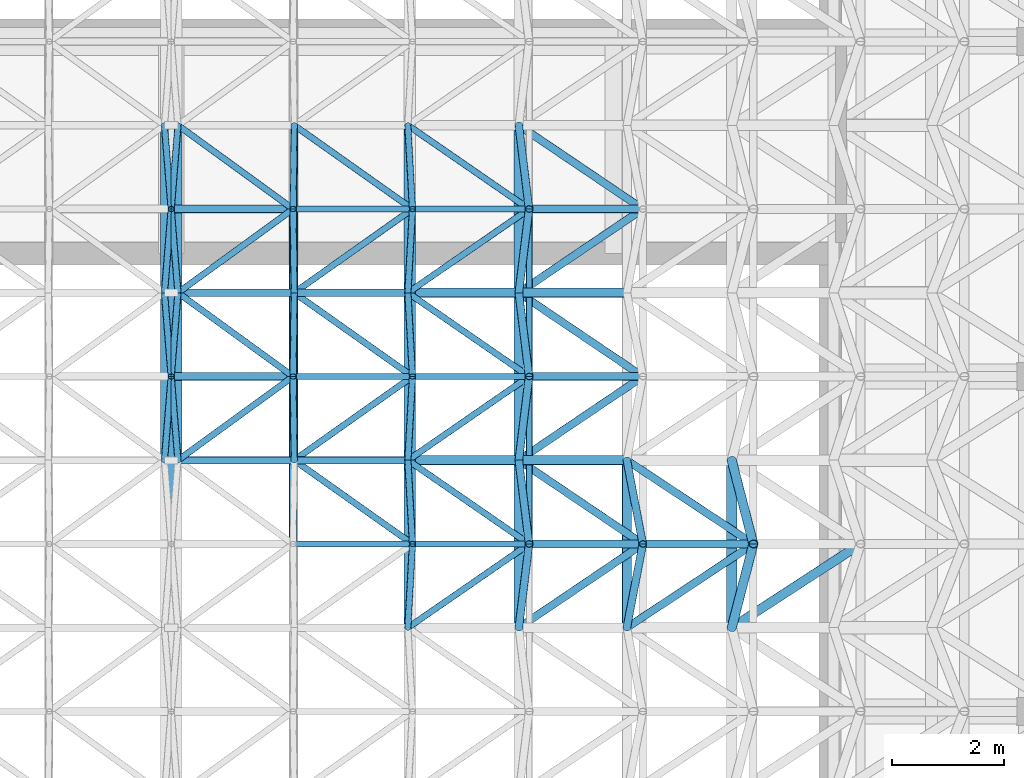
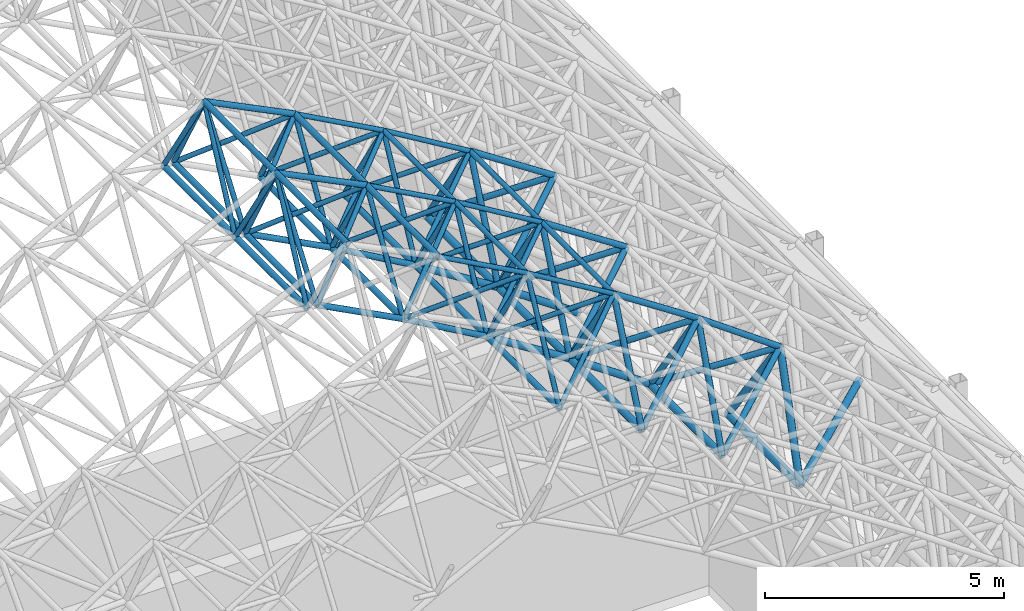
# One storey, part 14 of 141: 94 members.
"""IFC4 building model written with IfcOpenShell, lengths in metres."""

from ifc_helpers import new_model, si_unit, direction, frame, origin, origin_2d, place, context, subcontext, project, spatial, hollow_circle, extrude, material, material_profile, profile_set, type_object, element, save


model = new_model("IFC4")

# Units and contexts
model_context = context("Model", 3, precision=1e-05, world=origin(), true_north=direction((0.0, 1.0)))
body_context = subcontext(model_context, "Body", "Model", "MODEL_VIEW")
ifc_project = project(units=[si_unit("LENGTHUNIT", "METRE"), si_unit("AREAUNIT", "SQUARE_METRE"), si_unit("VOLUMEUNIT", "CUBIC_METRE"), si_unit("PLANEANGLEUNIT", "RADIAN"), si_unit("MASSUNIT", "GRAM", prefix="KILO")], contexts=[model_context])

# Site, building, storey
site_placement = place(None, origin())
site = spatial("IfcSite", under=ifc_project, at=site_placement, CompositionType="ELEMENT")
building_placement = place(site_placement, origin())
building = spatial("IfcBuilding", under=site, at=building_placement, Name="Lantern Court Media Centre", CompositionType="ELEMENT")
storey_placement = place(building_placement, frame((0.0, 0.0, 9.60009765625)))
storey = spatial("IfcBuildingStorey", under=building, at=storey_placement, Name="L02", CompositionType="ELEMENT", Elevation=9.60009765625)

# Members
ifc_material = material(Name="Steel S355J2 (EN 10025-2)", Category="steel")
ifc_material_profile_1 = material_profile(ifc_material, hollow_circle(Radius=0.06982421875, WallThickness=0.0048828125, at=origin_2d()), Name="Cinema Hall bottom CHS 139.7x5")
ifc_profile_set_1 = profile_set([ifc_material_profile_1], Name="Steel S355J2 (EN 10025-2)")
member_type_1 = type_object("IfcMemberType", Name="Cinema Hall bottom CHS 139.7x5", PredefinedType="CHORD", material=ifc_profile_set_1)
for number, where, z_axis, x_axis, name in (
    (1, (15.87939453125, 8.5, 13.298583984375), (0.0, 1.0, 0.0), (-1.0, 0.0, 0.0), "Cinema Hall bottom chord 08-04"),
    (2, (16.12060546875, 8.5, 13.298583984375), (0.0, 1.0, 0.0), (-1.0, 0.0, 0.0), "Cinema Hall bottom chord 09-04"),
    (3, (15.87939453125, 11.5, 13.298583984375), (0.0, 1.0, 0.0), (-1.0, 0.0, 0.0), "Cinema Hall bottom chord 08-05"),
    (4, (16.12060546875, 11.5, 13.298583984375), (0.0, 1.0, 0.0), (-1.0, 0.0, 0.0), "Cinema Hall bottom chord 09-05"),
):
    element("IfcMember", number, at=place(storey_placement, frame(where, z_axis=z_axis, x_axis=x_axis)), inside=storey, type_object=member_type_1, Name=name, PredefinedType="CHORD", context=body_context, shape_type="SweptSolid", body=[
        extrude(hollow_circle(Radius=0.06982421875, WallThickness=0.0048828125, at=origin_2d()), origin(), (0.0, 0.0, 1.0), 3.0),
    ])
ifc_material_profile_2 = material_profile(ifc_material, hollow_circle(Radius=0.06982421875, WallThickness=0.00634765625, at=origin_2d()), Name="Cinema Hall bottom CHS 139.7x6.3")
ifc_profile_set_2 = profile_set([ifc_material_profile_2], Name="Steel S355J2 (EN 10025-2)")
member_type_2 = type_object("IfcMemberType", Name="Cinema Hall bottom CHS 139.7x6.3", PredefinedType="CHORD", material=ifc_profile_set_2)
for number, where, z_axis, x_axis, name in (
    (5, (20.23974609375, 5.5, 11.04443359375), (0.0, 1.0, 0.0), (-1.0, 0.0, 0.0), "Cinema Hall bottom chord 11-03"),
    (6, (18.203125, 8.5, 12.21337890625), (0.0, 1.0, 0.0), (-1.0, 0.0, 0.0), "Cinema Hall bottom chord 10-04"),
    (7, (20.23974609375, 8.5, 11.04443359375), (0.0, 1.0, 0.0), (-1.0, 0.0, 0.0), "Cinema Hall bottom chord 11-04"),
    (8, (18.203125, 11.5, 12.21337890625), (0.0, 1.0, 0.0), (-1.0, 0.0, 0.0), "Cinema Hall bottom chord 10-05"),
    (9, (20.23974609375, 11.5, 11.04443359375), (0.0, 1.0, 0.0), (-1.0, 0.0, 0.0), "Cinema Hall bottom chord 11-05"),
):
    element("IfcMember", number, at=place(storey_placement, frame(where, z_axis=z_axis, x_axis=x_axis)), inside=storey, type_object=member_type_2, Name=name, PredefinedType="CHORD", context=body_context, shape_type="SweptSolid", body=[
        extrude(hollow_circle(Radius=0.06982421875, WallThickness=0.00634765625, at=origin_2d()), origin(), (0.0, 0.0, 1.0), 3.0),
    ])
member_1_placement = place(storey_placement, frame((16.12060546875, 8.5, 13.298583984375), z_axis=(0.88681645353, 0.0, -0.462121821329), x_axis=(0.0, 1.0, 0.0)))
element("IfcMember", 10, at=member_1_placement, inside=storey, type_object=member_type_2, Name="Cinema Hall bottom chord 09-04 across", PredefinedType="CHORD", context=body_context, shape_type="SweptSolid", body=[
    extrude(hollow_circle(Radius=0.06982421875, WallThickness=0.00634765625, at=origin_2d()), origin(), (0.0, 0.0, 1.0), 2.348388671875),
])
member_2_placement = place(storey_placement, frame((18.203125, 8.5, 12.21337890625), z_axis=(0.867294659253, 0.0, -0.497795112503), x_axis=(0.0, 1.0, 0.0)))
element("IfcMember", 11, at=member_2_placement, inside=storey, type_object=member_type_2, Name="Cinema Hall bottom chord 10-04 across", PredefinedType="CHORD", context=body_context, shape_type="SweptSolid", body=[
    extrude(hollow_circle(Radius=0.06982421875, WallThickness=0.00634765625, at=origin_2d()), origin(), (0.0, 0.0, 1.0), 2.34814453125),
])
member_3_placement = place(storey_placement, frame((16.12060546875, 11.5, 13.298583984375), z_axis=(0.88681645353, 0.0, -0.462121821329), x_axis=(0.0, 1.0, 0.0)))
element("IfcMember", 12, at=member_3_placement, inside=storey, type_object=member_type_2, Name="Cinema Hall bottom chord 09-05 across", PredefinedType="CHORD", context=body_context, shape_type="SweptSolid", body=[
    extrude(hollow_circle(Radius=0.06982421875, WallThickness=0.00634765625, at=origin_2d()), origin(), (0.0, 0.0, 1.0), 2.348388671875),
])
member_4_placement = place(storey_placement, frame((18.203125, 11.5, 12.21337890625), z_axis=(0.867294659253, 0.0, -0.497795112503), x_axis=(0.0, 1.0, 0.0)))
element("IfcMember", 13, at=member_4_placement, inside=storey, type_object=member_type_2, Name="Cinema Hall bottom chord 10-05 across", PredefinedType="CHORD", context=body_context, shape_type="SweptSolid", body=[
    extrude(hollow_circle(Radius=0.06982421875, WallThickness=0.00634765625, at=origin_2d()), origin(), (0.0, 0.0, 1.0), 2.34814453125),
])
ifc_material_profile_3 = material_profile(ifc_material, hollow_circle(Radius=0.084228515625, WallThickness=0.00634765625, at=origin_2d()), Name="Cinema Hall bottom CHS 168.3x6.3")
ifc_profile_set_3 = profile_set([ifc_material_profile_3], Name="Steel S355J2 (EN 10025-2)")
member_type_3 = type_object("IfcMemberType", Name="Cinema Hall bottom CHS 168.3x6.3", PredefinedType="CHORD", material=ifc_profile_set_3)
for number, where, z_axis, x_axis, name in (
    (14, (22.227294921875, 5.5, 9.7939453125), (0.0, 1.0, 0.0), (-1.0, 0.0, 0.0), "Cinema Hall bottom chord 12-03"),
    (15, (22.227294921875, 8.5, 9.7939453125), (0.0, 1.0, 0.0), (-1.0, 0.0, 0.0), "Cinema Hall bottom chord 12-04"),
    (16, (22.227294921875, 11.5, 9.7939453125), (0.0, 1.0, 0.0), (-1.0, 0.0, 0.0), "Cinema Hall bottom chord 12-05"),
):
    element("IfcMember", number, at=place(storey_placement, frame(where, z_axis=z_axis, x_axis=x_axis)), inside=storey, type_object=member_type_3, Name=name, PredefinedType="CHORD", context=body_context, shape_type="SweptSolid", body=[
        extrude(hollow_circle(Radius=0.084228515625, WallThickness=0.00634765625, at=origin_2d()), origin(), (0.0, 0.0, 1.0), 3.0),
    ])
for number, where, z_axis, x_axis, name in (
    (17, (20.23974609375, 8.5, 11.04443359375), (0.846411623189, 0.0, -0.532529214344), (0.0, 1.0, 0.0), "Cinema Hall bottom chord 11-04 across"),
    (18, (20.23974609375, 11.5, 11.04443359375), (0.846411623189, 0.0, -0.532529214344), (0.0, 1.0, 0.0), "Cinema Hall bottom chord 11-05 across"),
):
    element("IfcMember", number, at=place(storey_placement, frame(where, z_axis=z_axis, x_axis=x_axis)), inside=storey, type_object=member_type_3, Name=name, PredefinedType="CHORD", context=body_context, shape_type="SweptSolid", body=[
        extrude(hollow_circle(Radius=0.084228515625, WallThickness=0.00634765625, at=origin_2d()), origin(), (0.0, 0.0, 1.0), 2.34814453125),
    ])
ifc_material_profile_4 = material_profile(ifc_material, hollow_circle(Radius=0.084228515625, WallThickness=0.008056640625, at=origin_2d()), Name="Cinema Hall bottom CHS 168.3x8")
ifc_profile_set_4 = profile_set([ifc_material_profile_4], Name="Steel S355J2 (EN 10025-2)")
member_type_4 = type_object("IfcMemberType", Name="Cinema Hall bottom CHS 168.3x8", PredefinedType="CHORD", material=ifc_profile_set_4)
member_5_placement = place(storey_placement, frame((24.162353515625, 5.5, 8.463623046875), z_axis=(0.0, 1.0, 0.0), x_axis=(-1.0, 0.0, 0.0)))
element("IfcMember", 19, at=member_5_placement, inside=storey, type_object=member_type_4, Name="Cinema Hall bottom chord 13-03", PredefinedType="CHORD", context=body_context, shape_type="SweptSolid", body=[
    extrude(hollow_circle(Radius=0.084228515625, WallThickness=0.008056640625, at=origin_2d()), origin(), (0.0, 0.0, 1.0), 3.0),
])
for number, where, z_axis, x_axis, name in (
    (20, (22.227294921875, 8.5, 9.7939453125), (0.824047991233, 0.0, -0.56651999801), (0.0, 1.0, 0.0), "Cinema Hall bottom chord 12-04 across"),
    (21, (22.227294921875, 11.5, 9.7939453125), (0.824047991233, 0.0, -0.56651999801), (0.0, 1.0, 0.0), "Cinema Hall bottom chord 12-05 across"),
):
    element("IfcMember", number, at=place(storey_placement, frame(where, z_axis=z_axis, x_axis=x_axis)), inside=storey, type_object=member_type_4, Name=name, PredefinedType="CHORD", context=body_context, shape_type="SweptSolid", body=[
        extrude(hollow_circle(Radius=0.084228515625, WallThickness=0.008056640625, at=origin_2d()), origin(), (0.0, 0.0, 1.0), 2.34814453125),
    ])
ifc_material_profile_5 = material_profile(ifc_material, hollow_circle(Radius=0.096923828125, WallThickness=0.008056640625, at=origin_2d()), Name="Cinema Hall bottom CHS 193.7x8")
ifc_profile_set_5 = profile_set([ifc_material_profile_5], Name="Steel S355J2 (EN 10025-2)")
member_type_5 = type_object("IfcMemberType", Name="Cinema Hall bottom CHS 193.7x8", PredefinedType="CHORD", material=ifc_profile_set_5)
member_6_placement = place(storey_placement, frame((26.041748046875, 5.5, 7.0556640625), z_axis=(0.0, 1.0, 0.0), x_axis=(-1.0, 0.0, 0.0)))
element("IfcMember", 22, at=member_6_placement, inside=storey, type_object=member_type_5, Name="Cinema Hall bottom chord 14-03", PredefinedType="CHORD", context=body_context, shape_type="SweptSolid", body=[
    extrude(hollow_circle(Radius=0.096923828125, WallThickness=0.008056640625, at=origin_2d()), origin(), (0.0, 0.0, 1.0), 3.0),
])
ifc_material_profile_6 = material_profile(ifc_material, hollow_circle(Radius=0.05712890625, WallThickness=0.0048828125, at=origin_2d()), Name="Cinema Hall diagonal CHS 114.3x5")
ifc_profile_set_6 = profile_set([ifc_material_profile_6], Name="Steel S355J2 (EN 10025-2)")
member_type_6 = type_object("IfcMemberType", Name="Cinema Hall diagonal CHS 114.3x5", PredefinedType="BRACE", material=ifc_profile_set_6)
member_7_placement = place(storey_placement, frame((15.87939453125, 8.5, 13.298583984375), z_axis=(0.041317175069, 0.513871910171, 0.85687137365), x_axis=(-0.996783215266, 0.080145004613, 0.0)))
element("IfcMember", 23, at=member_7_placement, inside=storey, type_object=member_type_6, Name="Cinema Hall diagonal 08-04-3", PredefinedType="BRACE", context=body_context, shape_type="SweptSolid", body=[
    extrude(hollow_circle(Radius=0.05712890625, WallThickness=0.0048828125, at=origin_2d()), origin(), (0.0, 0.0, 1.0), 2.9189453125),
])
member_8_placement = place(storey_placement, frame((16.12060546875, 8.5, 13.298583984375), z_axis=(0.706879781117, 0.513851085564, 0.486084392789), x_axis=(-0.587989591395, 0.808868493892, 0.0)))
element("IfcMember", 24, at=member_8_placement, inside=storey, type_object=member_type_6, Name="Cinema Hall diagonal 09-04-3", PredefinedType="BRACE", context=body_context, shape_type="SweptSolid", body=[
    extrude(hollow_circle(Radius=0.05712890625, WallThickness=0.0048828125, at=origin_2d()), origin(), (0.0, 0.0, 1.0), 2.919189453125),
])
for number, where, z_axis, x_axis, name in (
    (25, (16.12060546875, 8.5, 13.298583984375), (-0.041317175069, 0.513871910171, 0.85687137365), (-0.996783215266, -0.080145004613, 0.0), "Cinema Hall diagonal 09-04-4"),
    (26, (15.87939453125, 11.5, 13.298583984375), (0.041317175069, -0.513871910171, 0.85687137365), (0.996783215266, 0.080145004613, 0.0), "Cinema Hall diagonal 08-05-2"),
    (27, (15.87939453125, 11.5, 13.298583984375), (0.041317175069, 0.513871910171, 0.85687137365), (-0.996783215266, 0.080145004613, 0.0), "Cinema Hall diagonal 08-05-3"),
    (28, (16.12060546875, 11.5, 13.298583984375), (-0.041317175069, -0.513871910171, 0.85687137365), (0.996783215266, -0.080145004613, 0.0), "Cinema Hall diagonal 09-05-1"),
):
    element("IfcMember", number, at=place(storey_placement, frame(where, z_axis=z_axis, x_axis=x_axis)), inside=storey, type_object=member_type_6, Name=name, PredefinedType="BRACE", context=body_context, shape_type="SweptSolid", body=[
        extrude(hollow_circle(Radius=0.05712890625, WallThickness=0.0048828125, at=origin_2d()), origin(), (0.0, 0.0, 1.0), 2.9189453125),
    ])
for number, where, z_axis, x_axis, name in (
    (29, (16.12060546875, 11.5, 13.298583984375), (0.706879781117, -0.513851085564, 0.486084392789), (0.587989591395, 0.808868493892, 0.0), "Cinema Hall diagonal 09-05-2"),
    (30, (16.12060546875, 11.5, 13.298583984375), (0.706879781117, 0.513851085564, 0.486084392789), (-0.587989591395, 0.808868493892, 0.0), "Cinema Hall diagonal 09-05-3"),
):
    element("IfcMember", number, at=place(storey_placement, frame(where, z_axis=z_axis, x_axis=x_axis)), inside=storey, type_object=member_type_6, Name=name, PredefinedType="BRACE", context=body_context, shape_type="SweptSolid", body=[
        extrude(hollow_circle(Radius=0.05712890625, WallThickness=0.0048828125, at=origin_2d()), origin(), (0.0, 0.0, 1.0), 2.919189453125),
    ])
for number, where, z_axis, x_axis, name in (
    (31, (16.12060546875, 11.5, 13.298583984375), (-0.041317175069, 0.513871910171, 0.85687137365), (-0.996783215266, -0.080145004613, 0.0), "Cinema Hall diagonal 09-05-4"),
    (32, (15.87939453125, 14.5, 13.298583984375), (0.041317175069, -0.513871910171, 0.85687137365), (0.996783215266, 0.080145004613, 0.0), "Cinema Hall diagonal 08-06-2"),
    (33, (16.12060546875, 14.5, 13.298583984375), (-0.041317175069, -0.513871910171, 0.85687137365), (0.996783215266, -0.080145004613, 0.0), "Cinema Hall diagonal 09-06-1"),
):
    element("IfcMember", number, at=place(storey_placement, frame(where, z_axis=z_axis, x_axis=x_axis)), inside=storey, type_object=member_type_6, Name=name, PredefinedType="BRACE", context=body_context, shape_type="SweptSolid", body=[
        extrude(hollow_circle(Radius=0.05712890625, WallThickness=0.0048828125, at=origin_2d()), origin(), (0.0, 0.0, 1.0), 2.9189453125),
    ])
member_9_placement = place(storey_placement, frame((16.12060546875, 14.5, 13.298583984375), z_axis=(0.706879781117, -0.513851085564, 0.486084392789), x_axis=(0.587989591395, 0.808868493892, 0.0)))
element("IfcMember", 34, at=member_9_placement, inside=storey, type_object=member_type_6, Name="Cinema Hall diagonal 09-06-2", PredefinedType="BRACE", context=body_context, shape_type="SweptSolid", body=[
    extrude(hollow_circle(Radius=0.05712890625, WallThickness=0.0048828125, at=origin_2d()), origin(), (0.0, 0.0, 1.0), 2.919189453125),
])
ifc_material_profile_7 = material_profile(ifc_material, hollow_circle(Radius=0.05712890625, WallThickness=0.00634765625, at=origin_2d()), Name="Cinema Hall diagonal CHS 114.3x6.3")
ifc_profile_set_7 = profile_set([ifc_material_profile_7], Name="Steel S355J2 (EN 10025-2)")
member_type_7 = type_object("IfcMemberType", Name="Cinema Hall diagonal CHS 114.3x6.3", PredefinedType="BRACE", material=ifc_profile_set_7)
for number, where, z_axis, x_axis, name in (
    (35, (20.23974609375, 5.5, 11.04443359375), (0.744001537395, 0.513842788417, 0.427115091218), (-0.568286154794, 0.822830994962, 0.0), "Cinema Hall diagonal 11-03-3"),
    (36, (20.23974609375, 5.5, 11.04443359375), (0.028351859734, 0.513846095007, 0.857413763999), (-0.998481283351, 0.055091984872, 0.0), "Cinema Hall diagonal 11-03-4"),
    (37, (18.203125, 8.5, 12.21337890625), (0.726033609038, -0.513852147671, 0.456980490702), (0.577701627838, 0.816248019411, 0.0), "Cinema Hall diagonal 10-04-2"),
    (38, (18.203125, 8.5, 12.21337890625), (0.726033609038, 0.513852147671, 0.456980490702), (-0.577701627838, 0.816248019411, 0.0), "Cinema Hall diagonal 10-04-3"),
    (39, (18.203125, 8.5, 12.21337890625), (-0.006523580306, 0.513857402591, 0.857850810283), (-0.99991942426, -0.012694289566, 0.0), "Cinema Hall diagonal 10-04-4"),
    (40, (20.23974609375, 8.5, 11.04443359375), (0.028351859734, -0.513846095007, 0.857413763999), (0.998481283351, 0.055091984872, 0.0), "Cinema Hall diagonal 11-04-1"),
    (41, (20.23974609375, 8.5, 11.04443359375), (0.744001537395, -0.513842788417, 0.427115091218), (0.568286154794, 0.822830994962, 0.0), "Cinema Hall diagonal 11-04-2"),
    (42, (20.23974609375, 8.5, 11.04443359375), (0.744001537395, 0.513842788417, 0.427115091218), (-0.568286154794, 0.822830994962, 0.0), "Cinema Hall diagonal 11-04-3"),
    (43, (20.23974609375, 8.5, 11.04443359375), (0.028351859734, 0.513846095007, 0.857413763999), (-0.998481283351, 0.055091984872, 0.0), "Cinema Hall diagonal 11-04-4"),
    (44, (18.203125, 11.5, 12.21337890625), (-0.006523580306, -0.513857402591, 0.857850810283), (0.99991942426, -0.012694289566, 0.0), "Cinema Hall diagonal 10-05-1"),
    (45, (18.203125, 11.5, 12.21337890625), (0.726033609038, -0.513852147671, 0.456980490702), (0.577701627838, 0.816248019411, 0.0), "Cinema Hall diagonal 10-05-2"),
    (46, (18.203125, 11.5, 12.21337890625), (0.726033609038, 0.513852147671, 0.456980490702), (-0.577701627838, 0.816248019411, 0.0), "Cinema Hall diagonal 10-05-3"),
    (47, (18.203125, 11.5, 12.21337890625), (-0.006523580306, 0.513857402591, 0.857850810283), (-0.99991942426, -0.012694289566, 0.0), "Cinema Hall diagonal 10-05-4"),
    (48, (20.23974609375, 11.5, 11.04443359375), (0.028351859734, -0.513846095007, 0.857413763999), (0.998481283351, 0.055091984872, 0.0), "Cinema Hall diagonal 11-05-1"),
    (49, (20.23974609375, 11.5, 11.04443359375), (0.744001537395, -0.513842788417, 0.427115091218), (0.568286154794, 0.822830994962, 0.0), "Cinema Hall diagonal 11-05-2"),
    (50, (20.23974609375, 11.5, 11.04443359375), (0.744001537395, 0.513842788417, 0.427115091218), (-0.568286154794, 0.822830994962, 0.0), "Cinema Hall diagonal 11-05-3"),
    (51, (20.23974609375, 11.5, 11.04443359375), (0.028351859734, 0.513846095007, 0.857413763999), (-0.998481283351, 0.055091984872, 0.0), "Cinema Hall diagonal 11-05-4"),
    (52, (18.203125, 14.5, 12.21337890625), (-0.006523580306, -0.513857402591, 0.857850810283), (0.99991942426, -0.012694289566, 0.0), "Cinema Hall diagonal 10-06-1"),
    (53, (18.203125, 14.5, 12.21337890625), (0.726033609038, -0.513852147671, 0.456980490702), (0.577701627838, 0.816248019411, 0.0), "Cinema Hall diagonal 10-06-2"),
    (54, (20.23974609375, 14.5, 11.04443359375), (0.028351859734, -0.513846095007, 0.857413763999), (0.998481283351, 0.055091984872, 0.0), "Cinema Hall diagonal 11-06-1"),
    (55, (20.23974609375, 14.5, 11.04443359375), (0.744001537395, -0.513842788417, 0.427115091218), (0.568286154794, 0.822830994962, 0.0), "Cinema Hall diagonal 11-06-2"),
):
    element("IfcMember", number, at=place(storey_placement, frame(where, z_axis=z_axis, x_axis=x_axis)), inside=storey, type_object=member_type_7, Name=name, PredefinedType="BRACE", context=body_context, shape_type="SweptSolid", body=[
        extrude(hollow_circle(Radius=0.05712890625, WallThickness=0.00634765625, at=origin_2d()), origin(), (0.0, 0.0, 1.0), 2.919189453125),
    ])
ifc_material_profile_8 = material_profile(ifc_material, hollow_circle(Radius=0.06982421875, WallThickness=0.00634765625, at=origin_2d()), Name="Cinema Hall diagonal CHS 139.7x6.3")
ifc_profile_set_8 = profile_set([ifc_material_profile_8], Name="Steel S355J2 (EN 10025-2)")
member_type_8 = type_object("IfcMemberType", Name="Cinema Hall diagonal CHS 139.7x6.3", PredefinedType="BRACE", material=ifc_profile_set_8)
member_10_placement = place(storey_placement, frame((22.227294921875, 5.5, 9.7939453125), z_axis=(0.760744068819, 0.513853513503, 0.396513591718), x_axis=(-0.559735691147, 0.828671199003, 0.0)))
element("IfcMember", 56, at=member_10_placement, inside=storey, type_object=member_type_8, Name="Cinema Hall diagonal 12-03-3", PredefinedType="BRACE", context=body_context, shape_type="SweptSolid", body=[
    extrude(hollow_circle(Radius=0.06982421875, WallThickness=0.00634765625, at=origin_2d()), origin(), (0.0, 0.0, 1.0), 2.919189453125),
])
for number, where, z_axis, x_axis, name in (
    (57, (22.227294921875, 5.5, 9.7939453125), (0.063147046974, 0.513874776966, 0.855537938409), (-0.992534194664, 0.121966685705, 0.0), "Cinema Hall diagonal 12-03-4"),
    (58, (22.227294921875, 8.5, 9.7939453125), (0.063147046974, -0.513874776966, 0.855537938409), (0.992534194664, 0.121966685705, 0.0), "Cinema Hall diagonal 12-04-1"),
):
    element("IfcMember", number, at=place(storey_placement, frame(where, z_axis=z_axis, x_axis=x_axis)), inside=storey, type_object=member_type_8, Name=name, PredefinedType="BRACE", context=body_context, shape_type="SweptSolid", body=[
        extrude(hollow_circle(Radius=0.06982421875, WallThickness=0.00634765625, at=origin_2d()), origin(), (0.0, 0.0, 1.0), 2.9189453125),
    ])
for number, where, z_axis, x_axis, name in (
    (59, (22.227294921875, 8.5, 9.7939453125), (0.760744068819, -0.513853513503, 0.396513591718), (0.559735691147, 0.828671199003, 0.0), "Cinema Hall diagonal 12-04-2"),
    (60, (22.227294921875, 8.5, 9.7939453125), (0.760744068819, 0.513853513503, 0.396513591718), (-0.559735691147, 0.828671199003, 0.0), "Cinema Hall diagonal 12-04-3"),
):
    element("IfcMember", number, at=place(storey_placement, frame(where, z_axis=z_axis, x_axis=x_axis)), inside=storey, type_object=member_type_8, Name=name, PredefinedType="BRACE", context=body_context, shape_type="SweptSolid", body=[
        extrude(hollow_circle(Radius=0.06982421875, WallThickness=0.00634765625, at=origin_2d()), origin(), (0.0, 0.0, 1.0), 2.919189453125),
    ])
for number, where, z_axis, x_axis, name in (
    (61, (22.227294921875, 8.5, 9.7939453125), (0.063147046974, 0.513874776966, 0.855537938409), (-0.992534194664, 0.121966685705, 0.0), "Cinema Hall diagonal 12-04-4"),
    (62, (22.227294921875, 11.5, 9.7939453125), (0.063147046974, -0.513874776966, 0.855537938409), (0.992534194664, 0.121966685705, 0.0), "Cinema Hall diagonal 12-05-1"),
):
    element("IfcMember", number, at=place(storey_placement, frame(where, z_axis=z_axis, x_axis=x_axis)), inside=storey, type_object=member_type_8, Name=name, PredefinedType="BRACE", context=body_context, shape_type="SweptSolid", body=[
        extrude(hollow_circle(Radius=0.06982421875, WallThickness=0.00634765625, at=origin_2d()), origin(), (0.0, 0.0, 1.0), 2.9189453125),
    ])
for number, where, z_axis, x_axis, name in (
    (63, (22.227294921875, 11.5, 9.7939453125), (0.760744068819, -0.513853513503, 0.396513591718), (0.559735691147, 0.828671199003, 0.0), "Cinema Hall diagonal 12-05-2"),
    (64, (22.227294921875, 11.5, 9.7939453125), (0.760744068819, 0.513853513503, 0.396513591718), (-0.559735691147, 0.828671199003, 0.0), "Cinema Hall diagonal 12-05-3"),
):
    element("IfcMember", number, at=place(storey_placement, frame(where, z_axis=z_axis, x_axis=x_axis)), inside=storey, type_object=member_type_8, Name=name, PredefinedType="BRACE", context=body_context, shape_type="SweptSolid", body=[
        extrude(hollow_circle(Radius=0.06982421875, WallThickness=0.00634765625, at=origin_2d()), origin(), (0.0, 0.0, 1.0), 2.919189453125),
    ])
for number, where, z_axis, x_axis, name in (
    (65, (22.227294921875, 11.5, 9.7939453125), (0.063147046974, 0.513874776966, 0.855537938409), (-0.992534194664, 0.121966685705, 0.0), "Cinema Hall diagonal 12-05-4"),
    (66, (22.227294921875, 14.5, 9.7939453125), (0.063147046974, -0.513874776966, 0.855537938409), (0.992534194664, 0.121966685705, 0.0), "Cinema Hall diagonal 12-06-1"),
):
    element("IfcMember", number, at=place(storey_placement, frame(where, z_axis=z_axis, x_axis=x_axis)), inside=storey, type_object=member_type_8, Name=name, PredefinedType="BRACE", context=body_context, shape_type="SweptSolid", body=[
        extrude(hollow_circle(Radius=0.06982421875, WallThickness=0.00634765625, at=origin_2d()), origin(), (0.0, 0.0, 1.0), 2.9189453125),
    ])
member_11_placement = place(storey_placement, frame((22.227294921875, 14.5, 9.7939453125), z_axis=(0.760744068819, -0.513853513503, 0.396513591718), x_axis=(0.559735691147, 0.828671199003, 0.0)))
element("IfcMember", 67, at=member_11_placement, inside=storey, type_object=member_type_8, Name="Cinema Hall diagonal 12-06-2", PredefinedType="BRACE", context=body_context, shape_type="SweptSolid", body=[
    extrude(hollow_circle(Radius=0.06982421875, WallThickness=0.00634765625, at=origin_2d()), origin(), (0.0, 0.0, 1.0), 2.919189453125),
])
ifc_material_profile_9 = material_profile(ifc_material, hollow_circle(Radius=0.06982421875, WallThickness=0.008056640625, at=origin_2d()), Name="Cinema Hall diagonal CHS 139.7x8")
ifc_profile_set_9 = profile_set([ifc_material_profile_9], Name="Steel S355J2 (EN 10025-2)")
member_type_9 = type_object("IfcMemberType", Name="Cinema Hall diagonal CHS 139.7x8", PredefinedType="BRACE", material=ifc_profile_set_9)
member_12_placement = place(storey_placement, frame((24.162353515625, 5.5, 8.463623046875), z_axis=(0.776210877705, 0.513849761084, 0.365315064521), x_axis=(-0.552001963744, 0.833842810141, 0.0)))
element("IfcMember", 68, at=member_12_placement, inside=storey, type_object=member_type_9, Name="Cinema Hall diagonal 13-03-3", PredefinedType="BRACE", context=body_context, shape_type="SweptSolid", body=[
    extrude(hollow_circle(Radius=0.06982421875, WallThickness=0.008056640625, at=origin_2d()), origin(), (0.0, 0.0, 1.0), 2.919189453125),
])
for number, where, z_axis, x_axis, name in (
    (69, (24.162353515625, 5.5, 8.463623046875), (0.09785614588, 0.51387022247, 0.852268484207), (-0.982346962135, 0.187068025016, 0.0), "Cinema Hall diagonal 13-03-4"),
    (70, (24.162353515625, 8.5, 8.463623046875), (0.09785614588, -0.51387022247, 0.852268484207), (0.982346962135, 0.187068025016, 0.0), "Cinema Hall diagonal 13-04-1"),
):
    element("IfcMember", number, at=place(storey_placement, frame(where, z_axis=z_axis, x_axis=x_axis)), inside=storey, type_object=member_type_9, Name=name, PredefinedType="BRACE", context=body_context, shape_type="SweptSolid", body=[
        extrude(hollow_circle(Radius=0.06982421875, WallThickness=0.008056640625, at=origin_2d()), origin(), (0.0, 0.0, 1.0), 2.9189453125),
    ])
member_13_placement = place(storey_placement, frame((24.162353515625, 8.5, 8.463623046875), z_axis=(0.776210877705, -0.513849761084, 0.365315064521), x_axis=(0.552001963744, 0.833842810141, 0.0)))
element("IfcMember", 71, at=member_13_placement, inside=storey, type_object=member_type_9, Name="Cinema Hall diagonal 13-04-2", PredefinedType="BRACE", context=body_context, shape_type="SweptSolid", body=[
    extrude(hollow_circle(Radius=0.06982421875, WallThickness=0.008056640625, at=origin_2d()), origin(), (0.0, 0.0, 1.0), 2.919189453125),
])
ifc_material_profile_10 = material_profile(ifc_material, hollow_circle(Radius=0.084228515625, WallThickness=0.008056640625, at=origin_2d()), Name="Cinema Hall diagonal CHS 168.3x8")
ifc_profile_set_10 = profile_set([ifc_material_profile_10], Name="Steel S355J2 (EN 10025-2)")
member_type_10 = type_object("IfcMemberType", Name="Cinema Hall diagonal CHS 168.3x8", PredefinedType="BRACE", material=ifc_profile_set_10)
member_14_placement = place(storey_placement, frame((26.041748046875, 5.5, 7.0556640625), z_axis=(0.790394065187, 0.513881601747, 0.333471019884), x_axis=(-0.545081898441, 0.838382802777, 0.0)))
element("IfcMember", 72, at=member_14_placement, inside=storey, type_object=member_type_10, Name="Cinema Hall diagonal 14-03-3", PredefinedType="BRACE", context=body_context, shape_type="SweptSolid", body=[
    extrude(hollow_circle(Radius=0.084228515625, WallThickness=0.008056640625, at=origin_2d()), origin(), (0.0, 0.0, 1.0), 2.9189453125),
])
for number, where, z_axis, x_axis, name in (
    (73, (26.041748046875, 5.5, 7.0556640625), (0.132389678542, 0.513835871739, 0.847611744804), (-0.968374432366, 0.249501420318, 0.0), "Cinema Hall diagonal 14-03-4"),
    (74, (26.041748046875, 8.5, 7.0556640625), (0.132389678542, -0.513835871739, 0.847611744804), (0.968374432366, 0.249501420318, 0.0), "Cinema Hall diagonal 14-04-1"),
):
    element("IfcMember", number, at=place(storey_placement, frame(where, z_axis=z_axis, x_axis=x_axis)), inside=storey, type_object=member_type_10, Name=name, PredefinedType="BRACE", context=body_context, shape_type="SweptSolid", body=[
        extrude(hollow_circle(Radius=0.084228515625, WallThickness=0.008056640625, at=origin_2d()), origin(), (0.0, 0.0, 1.0), 2.919189453125),
    ])
ifc_material_profile_11 = material_profile(ifc_material, hollow_circle(Radius=0.05712890625, WallThickness=0.00634765625, at=origin_2d()), Name="Cinema Hall top CHS 114.3x6.3")
ifc_profile_set_11 = profile_set([ifc_material_profile_11], Name="Steel S355J2 (EN 10025-2)")
member_type_11 = type_object("IfcMemberType", Name="Cinema Hall top CHS 114.3x6.3", PredefinedType="CHORD", material=ifc_profile_set_11)
for number, where, z_axis, x_axis, name in (
    (75, (20.322509765625, 7.0, 13.54736328125), (0.0, 1.0, 0.0), (-1.0, 0.0, 0.0), "Cinema Hall top chord 11-04"),
    (76, (22.41162109375, 7.0, 12.291259765625), (0.0, 1.0, 0.0), (-1.0, 0.0, 0.0), "Cinema Hall top chord 12-04"),
    (77, (20.322509765625, 10.0, 13.54736328125), (0.0, 1.0, 0.0), (-1.0, 0.0, 0.0), "Cinema Hall top chord 11-05"),
    (78, (22.41162109375, 10.0, 12.291259765625), (0.0, 1.0, 0.0), (-1.0, 0.0, 0.0), "Cinema Hall top chord 12-05"),
):
    element("IfcMember", number, at=place(storey_placement, frame(where, z_axis=z_axis, x_axis=x_axis)), inside=storey, type_object=member_type_11, Name=name, PredefinedType="CHORD", context=body_context, shape_type="SweptSolid", body=[
        extrude(hollow_circle(Radius=0.05712890625, WallThickness=0.00634765625, at=origin_2d()), origin(), (0.0, 0.0, 1.0), 3.0),
    ])
for number, where, z_axis, x_axis, name in (
    (79, (18.18408203125, 7.0, 14.717529296875), (0.87724791815, 0.0, -0.480037592384), (0.0, 1.0, 0.0), "Cinema Hall top chord 10-04 across"),
    (80, (20.322509765625, 7.0, 13.54736328125), (0.857015353865, 0.0, -0.515290872459), (0.0, 1.0, 0.0), "Cinema Hall top chord 11-04 across"),
    (81, (18.18408203125, 10.0, 14.717529296875), (0.87724791815, 0.0, -0.480037592384), (0.0, 1.0, 0.0), "Cinema Hall top chord 10-05 across"),
    (82, (20.322509765625, 10.0, 13.54736328125), (0.857015353865, 0.0, -0.515290872459), (0.0, 1.0, 0.0), "Cinema Hall top chord 11-05 across"),
    (83, (18.18408203125, 13.0, 14.717529296875), (0.87724791815, 0.0, -0.480037592384), (0.0, 1.0, 0.0), "Cinema Hall top chord 10-06 across"),
    (84, (20.322509765625, 13.0, 13.54736328125), (0.857015353865, 0.0, -0.515290872459), (0.0, 1.0, 0.0), "Cinema Hall top chord 11-06 across"),
):
    element("IfcMember", number, at=place(storey_placement, frame(where, z_axis=z_axis, x_axis=x_axis)), inside=storey, type_object=member_type_11, Name=name, PredefinedType="CHORD", context=body_context, shape_type="SweptSolid", body=[
        extrude(hollow_circle(Radius=0.05712890625, WallThickness=0.00634765625, at=origin_2d()), origin(), (0.0, 0.0, 1.0), 2.437744140625),
    ])
ifc_material_profile_12 = material_profile(ifc_material, hollow_circle(Radius=0.06982421875, WallThickness=0.0048828125, at=origin_2d()), Name="Cinema Hall top CHS 139.7x5")
ifc_profile_set_12 = profile_set([ifc_material_profile_12], Name="Steel S355J2 (EN 10025-2)")
member_type_12 = type_object("IfcMemberType", Name="Cinema Hall top CHS 139.7x5", PredefinedType="CHORD", material=ifc_profile_set_12)
for number, where, z_axis, x_axis, name in (
    (85, (16.0, 7.0, 15.7998046875), (0.0, 1.0, 0.0), (-1.0, 0.0, 0.0), "Cinema Hall top chord 09-04"),
    (86, (18.18408203125, 7.0, 14.717529296875), (0.0, 1.0, 0.0), (-1.0, 0.0, 0.0), "Cinema Hall top chord 10-04"),
    (87, (16.0, 10.0, 15.7998046875), (0.0, 1.0, 0.0), (-1.0, 0.0, 0.0), "Cinema Hall top chord 09-05"),
    (88, (18.18408203125, 10.0, 14.717529296875), (0.0, 1.0, 0.0), (-1.0, 0.0, 0.0), "Cinema Hall top chord 10-05"),
):
    element("IfcMember", number, at=place(storey_placement, frame(where, z_axis=z_axis, x_axis=x_axis)), inside=storey, type_object=member_type_12, Name=name, PredefinedType="CHORD", context=body_context, shape_type="SweptSolid", body=[
        extrude(hollow_circle(Radius=0.06982421875, WallThickness=0.0048828125, at=origin_2d()), origin(), (0.0, 0.0, 1.0), 3.0),
    ])
for number, where, z_axis, x_axis, name in (
    (89, (16.0, 10.0, 15.7998046875), (0.896023995237, 0.0, -0.444005630549), (0.0, 1.0, 0.0), "Cinema Hall top chord 09-05 across"),
    (90, (16.0, 13.0, 15.7998046875), (0.896023995237, 0.0, -0.444005630549), (0.0, 1.0, 0.0), "Cinema Hall top chord 09-06 across"),
):
    element("IfcMember", number, at=place(storey_placement, frame(where, z_axis=z_axis, x_axis=x_axis)), inside=storey, type_object=member_type_12, Name=name, PredefinedType="CHORD", context=body_context, shape_type="SweptSolid", body=[
        extrude(hollow_circle(Radius=0.06982421875, WallThickness=0.0048828125, at=origin_2d()), origin(), (0.0, 0.0, 1.0), 2.4375),
    ])
ifc_material_profile_13 = material_profile(ifc_material, hollow_circle(Radius=0.06982421875, WallThickness=0.00634765625, at=origin_2d()), Name="Cinema Hall top CHS 139.7x6.3")
ifc_profile_set_13 = profile_set([ifc_material_profile_13], Name="Steel S355J2 (EN 10025-2)")
member_type_13 = type_object("IfcMemberType", Name="Cinema Hall top CHS 139.7x6.3", PredefinedType="CHORD", material=ifc_profile_set_13)
for number, where, z_axis, x_axis, name in (
    (91, (22.41162109375, 7.0, 12.291259765625), (0.835394087943, 0.0, -0.549651451221), (0.0, 1.0, 0.0), "Cinema Hall top chord 12-04 across"),
    (92, (22.41162109375, 10.0, 12.291259765625), (0.835394087943, 0.0, -0.549651451221), (0.0, 1.0, 0.0), "Cinema Hall top chord 12-05 across"),
    (93, (22.41162109375, 13.0, 12.291259765625), (0.835394087943, 0.0, -0.549651451221), (0.0, 1.0, 0.0), "Cinema Hall top chord 12-06 across"),
):
    element("IfcMember", number, at=place(storey_placement, frame(where, z_axis=z_axis, x_axis=x_axis)), inside=storey, type_object=member_type_13, Name=name, PredefinedType="CHORD", context=body_context, shape_type="SweptSolid", body=[
        extrude(hollow_circle(Radius=0.06982421875, WallThickness=0.00634765625, at=origin_2d()), origin(), (0.0, 0.0, 1.0), 2.437744140625),
    ])
ifc_material_profile_14 = material_profile(ifc_material, hollow_circle(Radius=0.06982421875, WallThickness=0.008056640625, at=origin_2d()), Name="Cinema Hall top CHS 139.7x8")
ifc_profile_set_14 = profile_set([ifc_material_profile_14], Name="Steel S355J2 (EN 10025-2)")
member_type_14 = type_object("IfcMemberType", Name="Cinema Hall top CHS 139.7x8", PredefinedType="CHORD", material=ifc_profile_set_14)
member_15_placement = place(storey_placement, frame((24.447998046875, 7.0, 10.951416015625), z_axis=(0.812384562891, 0.0, -0.583122047239), x_axis=(0.0, 1.0, 0.0)))
element("IfcMember", 94, at=member_15_placement, inside=storey, type_object=member_type_14, Name="Cinema Hall top chord 13-04 across", PredefinedType="CHORD", context=body_context, shape_type="SweptSolid", body=[
    extrude(hollow_circle(Radius=0.06982421875, WallThickness=0.008056640625, at=origin_2d()), origin(), (0.0, 0.0, 1.0), 2.4375),
])

save(model, "model.ifc")
